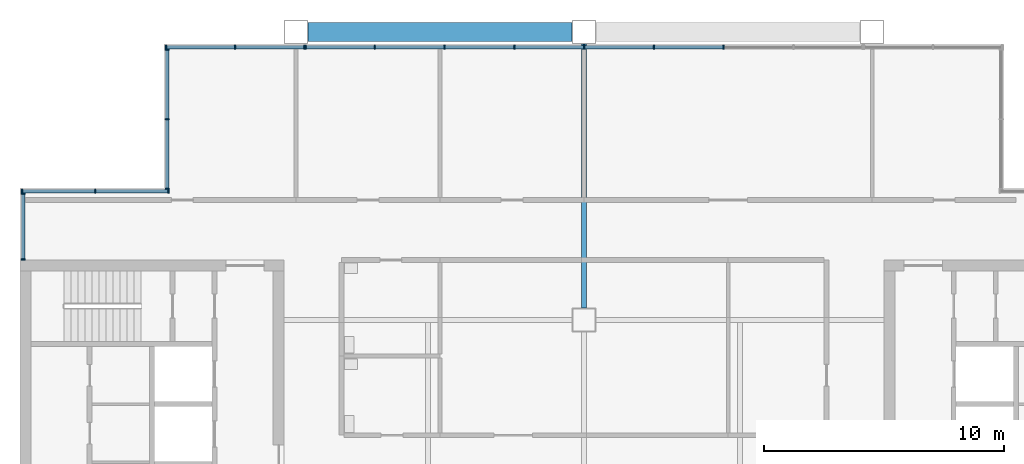
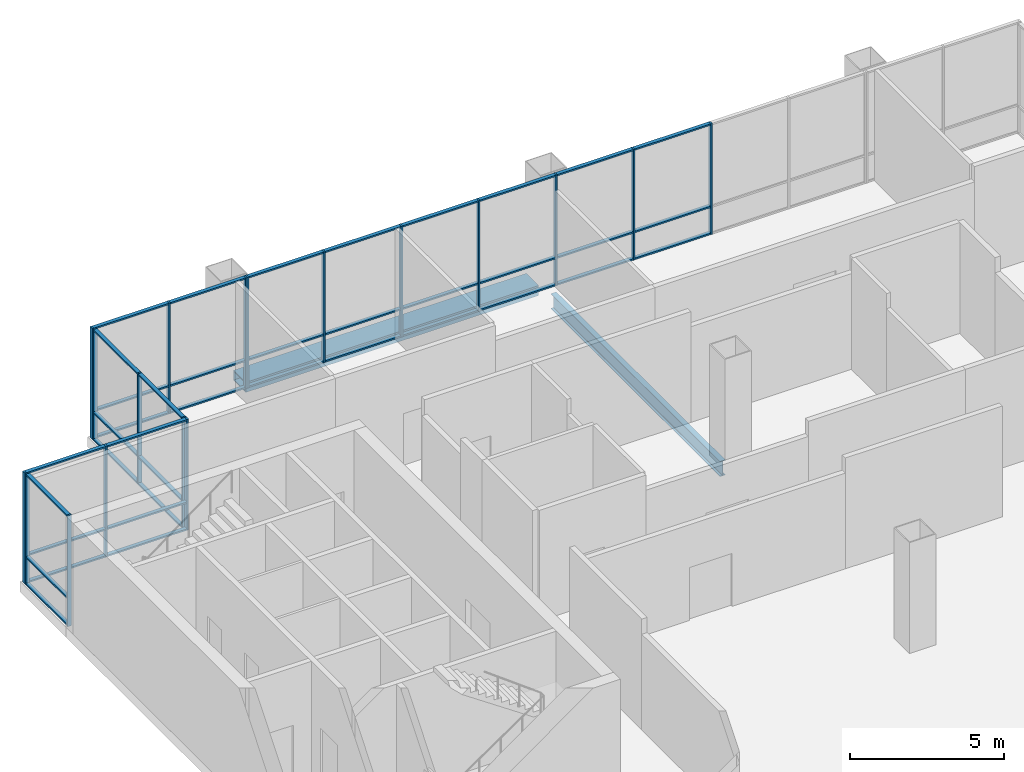
# One storey, part 7 of 15: 57 members, 2 beams, 5 elements without a shape of their own.
"""IFC4 building model written with IfcOpenShell, lengths in metres."""

from ifc_helpers import new_model, si_unit, direction, frame, origin, origin_2d, place, context, subcontext, project, spatial, rectangle, hollow_rectangle, i_section, extrude, material, material_profile, profile_set, type_object, element, aggregate, save


model = new_model("IFC4")

# Units and contexts
model_context = context("Model", 3, precision=1e-05, world=origin(), true_north=direction((0.0, 1.0)))
body_context = subcontext(model_context, "Body", "Model", "MODEL_VIEW")
ifc_project = project(units=[si_unit("LENGTHUNIT", "METRE"), si_unit("AREAUNIT", "SQUARE_METRE"), si_unit("VOLUMEUNIT", "CUBIC_METRE"), si_unit("PLANEANGLEUNIT", "RADIAN"), si_unit("MASSUNIT", "GRAM", prefix="KILO")], contexts=[model_context])

# Site, building, storey
site_placement = place(None, origin())
site = spatial("IfcSite", under=ifc_project, at=site_placement, CompositionType="ELEMENT")
building_placement = place(site_placement, origin())
building = spatial("IfcBuilding", under=site, at=building_placement, Name="Kitamizu Gate Tower and Museum", CompositionType="ELEMENT")
storey_placement = place(building_placement, frame((0.0, 0.0, 273.14990234375)))
storey = spatial("IfcBuildingStorey", under=building, at=storey_placement, Name="L74", CompositionType="ELEMENT", Elevation=273.14990234375)

# Beams
ifc_material_1 = material(Name="Steel SM490A bronze coated", Category="steel")
ifc_material_profile_1 = material_profile(ifc_material_1, hollow_rectangle(XDim=0.800048828125, YDim=0.39990234375, WallThickness=0.0400390625, at=origin_2d()), Name="BOX 800x400x40")
ifc_profile_set_1 = profile_set([ifc_material_profile_1], Name="Steel SM490A bronze coated")
beam_type_1 = type_object("IfcBeamType", Name="Exoskeleton spandrel beam SB1 BOX 800x400x40", PredefinedType="SPANDREL", material=ifc_profile_set_1)
beam_1_placement = place(storey_placement, frame((24.5, 48.0, -0.199951171875), z_axis=(1.0, 0.0, 0.0), x_axis=(0.0, 1.0, 0.0)))
element("IfcBeam", 1, at=beam_1_placement, inside=storey, type_object=beam_type_1, Name="Exoskeleton spandrel beam north 24 L74", PredefinedType="SPANDREL", context=body_context, shape_type="SweptSolid", body=[
    extrude(hollow_rectangle(XDim=0.800048828125, YDim=0.39990234375, WallThickness=0.0400390625, at=origin_2d()), origin(), (0.0, 0.0, 1.0), 11.0),
])
ifc_material_2 = material(Name="Steel SM490A", Category="steel")
ifc_material_profile_2 = material_profile(ifc_material_2, i_section(OverallWidth=0.199951171875, OverallDepth=0.60009765625, WebThickness=0.010986328125, FlangeThickness=0.01708984375, FilletRadius=0.02197265625, at=origin_2d()), Name="H-600x200x11x17")
ifc_profile_set_2 = profile_set([ifc_material_profile_2], Name="Steel SM490A")
beam_type_2 = type_object("IfcBeamType", Name="Floor girder FG1 H 600x200x11x17", PredefinedType="BEAM", material=ifc_profile_set_2)
beam_2_placement = place(storey_placement, frame((36.0, 36.5, -0.699951171875), z_axis=(0.0, 1.0, 0.0), x_axis=(-1.0, 0.0, 0.0)))
element("IfcBeam", 2, at=beam_2_placement, inside=storey, type_object=beam_type_2, Name="Floor girder FG1 x36 L74", PredefinedType="BEAM", context=body_context, shape_type="SweptSolid", body=[
    extrude(i_section(OverallWidth=0.199951171875, OverallDepth=0.60009765625, WebThickness=0.010986328125, FlangeThickness=0.01708984375, FilletRadius=0.02197265625, at=origin_2d()), origin(), (0.0, 0.0, 1.0), 11.0),
])

# Curtain wall, members
ifc_material_3 = material(Name="Bronze anodised aluminium frame, tinted triple glazing", Category="aluminium")
curtain_wall_type_1 = type_object("IfcCurtainWallType", Name="CURTAIN WALL TYPE C SKY AMENITY", PredefinedType="NOTDEFINED", material=ifc_material_3)
curtain_wall_1_placement = place(storey_placement, origin())
curtain_wall_1 = element("IfcCurtainWall", 3, at=curtain_wall_1_placement, inside=storey, type_object=curtain_wall_type_1, Name="Curtain wall CW-C north L74 part 1", PredefinedType="NOTDEFINED")
ifc_material_4 = material(Name="Bronze anodised aluminium", Category="aluminium")
ifc_material_profile_3 = material_profile(ifc_material_4, rectangle(XDim=0.06005859375, YDim=0.14990234375, at=origin_2d()), Name="AL 60X150")
ifc_profile_set_3 = profile_set([ifc_material_profile_3], Name="Bronze anodised aluminium")
member_type_1 = type_object("IfcMemberType", Name="MULLION 60 X 150 TYPE C", PredefinedType="MULLION", material=ifc_profile_set_3)
member_1_placement = place(storey_placement, frame((18.590087890625, 47.364990234375, 0.0), z_axis=(0.0, 0.0, 1.0), x_axis=(1.0, 0.0, 0.0)))
member_1 = element("IfcMember", 4, at=member_1_placement, type_object=member_type_1, Name="CW-C mullion 1", PredefinedType="MULLION", context=body_context, shape_type="SweptSolid", body=[
    extrude(rectangle(XDim=0.06005859375, YDim=0.14990234375, at=origin_2d()), origin(), (0.0, 0.0, 1.0), 4.400146484375),
])
member_2_placement = place(storey_placement, frame((21.466552734375, 47.364990234375, 0.0), z_axis=(0.0, 0.0, 1.0), x_axis=(1.0, 0.0, 0.0)))
member_2 = element("IfcMember", 5, at=member_2_placement, type_object=member_type_1, Name="CW-C mullion 2", PredefinedType="MULLION", context=body_context, shape_type="SweptSolid", body=[
    extrude(rectangle(XDim=0.06005859375, YDim=0.14990234375, at=origin_2d()), origin(), (0.0, 0.0, 1.0), 4.400146484375),
])
member_3_placement = place(storey_placement, frame((24.34326171875, 47.364990234375, 0.0), z_axis=(0.0, 0.0, 1.0), x_axis=(1.0, 0.0, 0.0)))
member_3 = element("IfcMember", 6, at=member_3_placement, type_object=member_type_1, Name="CW-C mullion 3", PredefinedType="MULLION", context=body_context, shape_type="SweptSolid", body=[
    extrude(rectangle(XDim=0.06005859375, YDim=0.14990234375, at=origin_2d()), origin(), (0.0, 0.0, 1.0), 4.400146484375),
])

ifc_material_5 = material(Name="Bronze anodised aluminium frame, insulated panels", Category="aluminium")
curtain_wall_type_2 = type_object("IfcCurtainWallType", Name="CURTAIN WALL TYPE C SKY AMENITY INSULATED", PredefinedType="NOTDEFINED", material=ifc_material_5)
curtain_wall_2_placement = place(storey_placement, origin())
curtain_wall_2 = element("IfcCurtainWall", 7, at=curtain_wall_2_placement, inside=storey, type_object=curtain_wall_type_2, Name="Curtain wall CW-CI north L74 part 2", PredefinedType="NOTDEFINED")
member_4_placement = place(storey_placement, frame((24.4033203125, 47.364990234375, 0.0), z_axis=(0.0, 0.0, 1.0), x_axis=(1.0, 0.0, 0.0)))
member_4 = element("IfcMember", 8, at=member_4_placement, type_object=member_type_1, Name="CW-CI mullion 1", PredefinedType="MULLION", context=body_context, shape_type="SweptSolid", body=[
    extrude(rectangle(XDim=0.06005859375, YDim=0.14990234375, at=origin_2d()), origin(), (0.0, 0.0, 1.0), 4.400146484375),
])
member_5_placement = place(storey_placement, frame((27.280029296875, 47.364990234375, 0.0), z_axis=(0.0, 0.0, 1.0), x_axis=(1.0, 0.0, 0.0)))
member_5 = element("IfcMember", 9, at=member_5_placement, type_object=member_type_1, Name="CW-CI mullion 2", PredefinedType="MULLION", context=body_context, shape_type="SweptSolid", body=[
    extrude(rectangle(XDim=0.06005859375, YDim=0.14990234375, at=origin_2d()), origin(), (0.0, 0.0, 1.0), 4.400146484375),
])
member_6_placement = place(storey_placement, frame((30.186767578125, 47.364990234375, 0.0), z_axis=(0.0, 0.0, 1.0), x_axis=(1.0, 0.0, 0.0)))
member_6 = element("IfcMember", 10, at=member_6_placement, type_object=member_type_1, Name="CW-CI mullion 3", PredefinedType="MULLION", context=body_context, shape_type="SweptSolid", body=[
    extrude(rectangle(XDim=0.06005859375, YDim=0.14990234375, at=origin_2d()), origin(), (0.0, 0.0, 1.0), 4.400146484375),
])
member_7_placement = place(storey_placement, frame((33.09326171875, 47.364990234375, 0.0), z_axis=(0.0, 0.0, 1.0), x_axis=(1.0, 0.0, 0.0)))
member_7 = element("IfcMember", 11, at=member_7_placement, type_object=member_type_1, Name="CW-CI mullion 4", PredefinedType="MULLION", context=body_context, shape_type="SweptSolid", body=[
    extrude(rectangle(XDim=0.06005859375, YDim=0.14990234375, at=origin_2d()), origin(), (0.0, 0.0, 1.0), 4.400146484375),
])
member_8_placement = place(storey_placement, frame((36.0, 47.364990234375, 0.0), z_axis=(0.0, 0.0, 1.0), x_axis=(1.0, 0.0, 0.0)))
member_8 = element("IfcMember", 12, at=member_8_placement, type_object=member_type_1, Name="CW-CI mullion 5", PredefinedType="MULLION", context=body_context, shape_type="SweptSolid", body=[
    extrude(rectangle(XDim=0.06005859375, YDim=0.14990234375, at=origin_2d()), origin(), (0.0, 0.0, 1.0), 4.400146484375),
])
member_9_placement = place(storey_placement, frame((38.90673828125, 47.364990234375, 0.0), z_axis=(0.0, 0.0, 1.0), x_axis=(1.0, 0.0, 0.0)))
member_9 = element("IfcMember", 13, at=member_9_placement, type_object=member_type_1, Name="CW-CI mullion 6", PredefinedType="MULLION", context=body_context, shape_type="SweptSolid", body=[
    extrude(rectangle(XDim=0.06005859375, YDim=0.14990234375, at=origin_2d()), origin(), (0.0, 0.0, 1.0), 4.400146484375),
])
member_10_placement = place(storey_placement, frame((41.813232421875, 47.364990234375, 0.0), z_axis=(0.0, 0.0, 1.0), x_axis=(1.0, 0.0, 0.0)))
member_10 = element("IfcMember", 14, at=member_10_placement, type_object=member_type_1, Name="CW-CI mullion 7", PredefinedType="MULLION", context=body_context, shape_type="SweptSolid", body=[
    extrude(rectangle(XDim=0.06005859375, YDim=0.14990234375, at=origin_2d()), origin(), (0.0, 0.0, 1.0), 4.400146484375),
])

curtain_wall_3_placement = place(storey_placement, origin())
curtain_wall_3 = element("IfcCurtainWall", 15, at=curtain_wall_3_placement, inside=storey, type_object=curtain_wall_type_1, Name="Curtain wall CW-C west L74", PredefinedType="NOTDEFINED")
member_11_placement = place(storey_placement, frame((18.635009765625, 41.469970703125, 0.0), z_axis=(0.0, 0.0, 1.0), x_axis=(0.0, 1.0, 0.0)))
member_11 = element("IfcMember", 16, at=member_11_placement, type_object=member_type_1, Name="CW-C mullion 1", PredefinedType="MULLION", context=body_context, shape_type="SweptSolid", body=[
    extrude(rectangle(XDim=0.06005859375, YDim=0.14990234375, at=origin_2d()), origin(), (0.0, 0.0, 1.0), 4.400146484375),
])
member_12_placement = place(storey_placement, frame((18.635009765625, 44.364990234375, 0.0), z_axis=(0.0, 0.0, 1.0), x_axis=(0.0, 1.0, 0.0)))
member_12 = element("IfcMember", 17, at=member_12_placement, type_object=member_type_1, Name="CW-C mullion 2", PredefinedType="MULLION", context=body_context, shape_type="SweptSolid", body=[
    extrude(rectangle(XDim=0.06005859375, YDim=0.14990234375, at=origin_2d()), origin(), (0.0, 0.0, 1.0), 4.400146484375),
])
member_13_placement = place(storey_placement, frame((18.635009765625, 47.260009765625, 0.0), z_axis=(0.0, 0.0, 1.0), x_axis=(0.0, 1.0, 0.0)))
member_13 = element("IfcMember", 18, at=member_13_placement, type_object=member_type_1, Name="CW-C mullion 3", PredefinedType="MULLION", context=body_context, shape_type="SweptSolid", body=[
    extrude(rectangle(XDim=0.06005859375, YDim=0.14990234375, at=origin_2d()), origin(), (0.0, 0.0, 1.0), 4.400146484375),
])

curtain_wall_4_placement = place(storey_placement, origin())
curtain_wall_4 = element("IfcCurtainWall", 19, at=curtain_wall_4_placement, inside=storey, type_object=curtain_wall_type_1, Name="Curtain wall CW-C north L74", PredefinedType="NOTDEFINED")
member_14_placement = place(storey_placement, frame((12.590087890625, 41.364990234375, 0.0), z_axis=(0.0, 0.0, 1.0), x_axis=(1.0, 0.0, 0.0)))
member_14 = element("IfcMember", 20, at=member_14_placement, type_object=member_type_1, Name="CW-C mullion 1", PredefinedType="MULLION", context=body_context, shape_type="SweptSolid", body=[
    extrude(rectangle(XDim=0.06005859375, YDim=0.14990234375, at=origin_2d()), origin(), (0.0, 0.0, 1.0), 4.400146484375),
])
member_15_placement = place(storey_placement, frame((15.635009765625, 41.364990234375, 0.0), z_axis=(0.0, 0.0, 1.0), x_axis=(1.0, 0.0, 0.0)))
member_15 = element("IfcMember", 21, at=member_15_placement, type_object=member_type_1, Name="CW-C mullion 2", PredefinedType="MULLION", context=body_context, shape_type="SweptSolid", body=[
    extrude(rectangle(XDim=0.06005859375, YDim=0.14990234375, at=origin_2d()), origin(), (0.0, 0.0, 1.0), 4.400146484375),
])
member_16_placement = place(storey_placement, frame((18.679931640625, 41.364990234375, 0.0), z_axis=(0.0, 0.0, 1.0), x_axis=(1.0, 0.0, 0.0)))
member_16 = element("IfcMember", 22, at=member_16_placement, type_object=member_type_1, Name="CW-C mullion 3", PredefinedType="MULLION", context=body_context, shape_type="SweptSolid", body=[
    extrude(rectangle(XDim=0.06005859375, YDim=0.14990234375, at=origin_2d()), origin(), (0.0, 0.0, 1.0), 4.400146484375),
])

curtain_wall_5_placement = place(storey_placement, origin())
curtain_wall_5 = element("IfcCurtainWall", 23, at=curtain_wall_5_placement, inside=storey, type_object=curtain_wall_type_1, Name="Curtain wall CW-C west L74", PredefinedType="NOTDEFINED")
member_17_placement = place(storey_placement, frame((12.635009765625, 38.530029296875, 0.0), z_axis=(0.0, 0.0, 1.0), x_axis=(0.0, 1.0, 0.0)))
member_17 = element("IfcMember", 24, at=member_17_placement, type_object=member_type_1, Name="CW-C mullion 1", PredefinedType="MULLION", context=body_context, shape_type="SweptSolid", body=[
    extrude(rectangle(XDim=0.06005859375, YDim=0.14990234375, at=origin_2d()), origin(), (0.0, 0.0, 1.0), 4.400146484375),
])
member_18_placement = place(storey_placement, frame((12.635009765625, 41.260009765625, 0.0), z_axis=(0.0, 0.0, 1.0), x_axis=(0.0, 1.0, 0.0)))
member_18 = element("IfcMember", 25, at=member_18_placement, type_object=member_type_1, Name="CW-C mullion 2", PredefinedType="MULLION", context=body_context, shape_type="SweptSolid", body=[
    extrude(rectangle(XDim=0.06005859375, YDim=0.14990234375, at=origin_2d()), origin(), (0.0, 0.0, 1.0), 4.400146484375),
])

# Member
ifc_material_6 = material(Name="Bronze anodised aluminium", Category="aluminium")
ifc_material_profile_4 = material_profile(ifc_material_6, rectangle(XDim=0.139892578125, YDim=0.06005859375, at=origin_2d()), Name="AL 60X140")
ifc_profile_set_4 = profile_set([ifc_material_profile_4], Name="Bronze anodised aluminium")
member_type_2 = type_object("IfcMemberType", Name="TRANSOM 60 X 140 TYPE C", PredefinedType="USERDEFINED", material=ifc_profile_set_4)
member_19_placement = place(storey_placement, frame((18.6201171875, 47.364990234375, 0.030029296875), z_axis=(1.0, 0.0, 0.0), x_axis=(0.0, 1.0, 0.0)))
member_19 = element("IfcMember", 26, at=member_19_placement, type_object=member_type_2, Name="CW-C transom 1.1", ObjectType="TRANSOM", PredefinedType="USERDEFINED", context=body_context, shape_type="SweptSolid", body=[
    extrude(rectangle(XDim=0.139892578125, YDim=0.06005859375, at=origin_2d()), origin(), (0.0, 0.0, 1.0), 2.816650390625),
])

member_20_placement = place(storey_placement, frame((18.6201171875, 47.364990234375, 1.10009765625), z_axis=(1.0, 0.0, 0.0), x_axis=(0.0, 1.0, 0.0)))
member_20 = element("IfcMember", 27, at=member_20_placement, type_object=member_type_2, Name="CW-C transom 1.2", ObjectType="TRANSOM", PredefinedType="USERDEFINED", context=body_context, shape_type="SweptSolid", body=[
    extrude(rectangle(XDim=0.139892578125, YDim=0.06005859375, at=origin_2d()), origin(), (0.0, 0.0, 1.0), 2.816650390625),
])

member_21_placement = place(storey_placement, frame((18.6201171875, 47.364990234375, 4.3701171875), z_axis=(1.0, 0.0, 0.0), x_axis=(0.0, 1.0, 0.0)))
member_21 = element("IfcMember", 28, at=member_21_placement, type_object=member_type_2, Name="CW-C transom 1.3", ObjectType="TRANSOM", PredefinedType="USERDEFINED", context=body_context, shape_type="SweptSolid", body=[
    extrude(rectangle(XDim=0.139892578125, YDim=0.06005859375, at=origin_2d()), origin(), (0.0, 0.0, 1.0), 2.816650390625),
])

member_22_placement = place(storey_placement, frame((21.49658203125, 47.364990234375, 0.030029296875), z_axis=(1.0, 0.0, 0.0), x_axis=(0.0, 1.0, 0.0)))
member_22 = element("IfcMember", 29, at=member_22_placement, type_object=member_type_2, Name="CW-C transom 2.1", ObjectType="TRANSOM", PredefinedType="USERDEFINED", context=body_context, shape_type="SweptSolid", body=[
    extrude(rectangle(XDim=0.139892578125, YDim=0.06005859375, at=origin_2d()), origin(), (0.0, 0.0, 1.0), 2.816650390625),
])

member_23_placement = place(storey_placement, frame((21.49658203125, 47.364990234375, 1.10009765625), z_axis=(1.0, 0.0, 0.0), x_axis=(0.0, 1.0, 0.0)))
member_23 = element("IfcMember", 30, at=member_23_placement, type_object=member_type_2, Name="CW-C transom 2.2", ObjectType="TRANSOM", PredefinedType="USERDEFINED", context=body_context, shape_type="SweptSolid", body=[
    extrude(rectangle(XDim=0.139892578125, YDim=0.06005859375, at=origin_2d()), origin(), (0.0, 0.0, 1.0), 2.816650390625),
])

member_24_placement = place(storey_placement, frame((21.49658203125, 47.364990234375, 4.3701171875), z_axis=(1.0, 0.0, 0.0), x_axis=(0.0, 1.0, 0.0)))
member_24 = element("IfcMember", 31, at=member_24_placement, type_object=member_type_2, Name="CW-C transom 2.3", ObjectType="TRANSOM", PredefinedType="USERDEFINED", context=body_context, shape_type="SweptSolid", body=[
    extrude(rectangle(XDim=0.139892578125, YDim=0.06005859375, at=origin_2d()), origin(), (0.0, 0.0, 1.0), 2.816650390625),
])

aggregate(curtain_wall_1, [member_1, member_2, member_3, member_19, member_20, member_21, member_22, member_23, member_24])

member_25_placement = place(storey_placement, frame((24.433349609375, 47.364990234375, 0.030029296875), z_axis=(1.0, 0.0, 0.0), x_axis=(0.0, 1.0, 0.0)))
member_25 = element("IfcMember", 32, at=member_25_placement, type_object=member_type_2, Name="CW-CI transom 1.1", ObjectType="TRANSOM", PredefinedType="USERDEFINED", context=body_context, shape_type="SweptSolid", body=[
    extrude(rectangle(XDim=0.139892578125, YDim=0.06005859375, at=origin_2d()), origin(), (0.0, 0.0, 1.0), 2.816650390625),
])

member_26_placement = place(storey_placement, frame((24.433349609375, 47.364990234375, 1.10009765625), z_axis=(1.0, 0.0, 0.0), x_axis=(0.0, 1.0, 0.0)))
member_26 = element("IfcMember", 33, at=member_26_placement, type_object=member_type_2, Name="CW-CI transom 1.2", ObjectType="TRANSOM", PredefinedType="USERDEFINED", context=body_context, shape_type="SweptSolid", body=[
    extrude(rectangle(XDim=0.139892578125, YDim=0.06005859375, at=origin_2d()), origin(), (0.0, 0.0, 1.0), 2.816650390625),
])

member_27_placement = place(storey_placement, frame((24.433349609375, 47.364990234375, 4.3701171875), z_axis=(1.0, 0.0, 0.0), x_axis=(0.0, 1.0, 0.0)))
member_27 = element("IfcMember", 34, at=member_27_placement, type_object=member_type_2, Name="CW-CI transom 1.3", ObjectType="TRANSOM", PredefinedType="USERDEFINED", context=body_context, shape_type="SweptSolid", body=[
    extrude(rectangle(XDim=0.139892578125, YDim=0.06005859375, at=origin_2d()), origin(), (0.0, 0.0, 1.0), 2.816650390625),
])

member_28_placement = place(storey_placement, frame((27.31005859375, 47.364990234375, 0.030029296875), z_axis=(1.0, 0.0, 0.0), x_axis=(0.0, 1.0, 0.0)))
member_28 = element("IfcMember", 35, at=member_28_placement, type_object=member_type_2, Name="CW-CI transom 2.1", ObjectType="TRANSOM", PredefinedType="USERDEFINED", context=body_context, shape_type="SweptSolid", body=[
    extrude(rectangle(XDim=0.139892578125, YDim=0.06005859375, at=origin_2d()), origin(), (0.0, 0.0, 1.0), 2.8466796875),
])

member_29_placement = place(storey_placement, frame((27.31005859375, 47.364990234375, 1.10009765625), z_axis=(1.0, 0.0, 0.0), x_axis=(0.0, 1.0, 0.0)))
member_29 = element("IfcMember", 36, at=member_29_placement, type_object=member_type_2, Name="CW-CI transom 2.2", ObjectType="TRANSOM", PredefinedType="USERDEFINED", context=body_context, shape_type="SweptSolid", body=[
    extrude(rectangle(XDim=0.139892578125, YDim=0.06005859375, at=origin_2d()), origin(), (0.0, 0.0, 1.0), 2.8466796875),
])

member_30_placement = place(storey_placement, frame((27.31005859375, 47.364990234375, 4.3701171875), z_axis=(1.0, 0.0, 0.0), x_axis=(0.0, 1.0, 0.0)))
member_30 = element("IfcMember", 37, at=member_30_placement, type_object=member_type_2, Name="CW-CI transom 2.3", ObjectType="TRANSOM", PredefinedType="USERDEFINED", context=body_context, shape_type="SweptSolid", body=[
    extrude(rectangle(XDim=0.139892578125, YDim=0.06005859375, at=origin_2d()), origin(), (0.0, 0.0, 1.0), 2.8466796875),
])

member_31_placement = place(storey_placement, frame((30.216552734375, 47.364990234375, 0.030029296875), z_axis=(1.0, 0.0, 0.0), x_axis=(0.0, 1.0, 0.0)))
member_31 = element("IfcMember", 38, at=member_31_placement, type_object=member_type_2, Name="CW-CI transom 3.1", ObjectType="TRANSOM", PredefinedType="USERDEFINED", context=body_context, shape_type="SweptSolid", body=[
    extrude(rectangle(XDim=0.139892578125, YDim=0.06005859375, at=origin_2d()), origin(), (0.0, 0.0, 1.0), 2.8466796875),
])

member_32_placement = place(storey_placement, frame((30.216552734375, 47.364990234375, 1.10009765625), z_axis=(1.0, 0.0, 0.0), x_axis=(0.0, 1.0, 0.0)))
member_32 = element("IfcMember", 39, at=member_32_placement, type_object=member_type_2, Name="CW-CI transom 3.2", ObjectType="TRANSOM", PredefinedType="USERDEFINED", context=body_context, shape_type="SweptSolid", body=[
    extrude(rectangle(XDim=0.139892578125, YDim=0.06005859375, at=origin_2d()), origin(), (0.0, 0.0, 1.0), 2.8466796875),
])

member_33_placement = place(storey_placement, frame((30.216552734375, 47.364990234375, 4.3701171875), z_axis=(1.0, 0.0, 0.0), x_axis=(0.0, 1.0, 0.0)))
member_33 = element("IfcMember", 40, at=member_33_placement, type_object=member_type_2, Name="CW-CI transom 3.3", ObjectType="TRANSOM", PredefinedType="USERDEFINED", context=body_context, shape_type="SweptSolid", body=[
    extrude(rectangle(XDim=0.139892578125, YDim=0.06005859375, at=origin_2d()), origin(), (0.0, 0.0, 1.0), 2.8466796875),
])

member_34_placement = place(storey_placement, frame((33.123291015625, 47.364990234375, 0.030029296875), z_axis=(1.0, 0.0, 0.0), x_axis=(0.0, 1.0, 0.0)))
member_34 = element("IfcMember", 41, at=member_34_placement, type_object=member_type_2, Name="CW-CI transom 4.1", ObjectType="TRANSOM", PredefinedType="USERDEFINED", context=body_context, shape_type="SweptSolid", body=[
    extrude(rectangle(XDim=0.139892578125, YDim=0.06005859375, at=origin_2d()), origin(), (0.0, 0.0, 1.0), 2.8466796875),
])

member_35_placement = place(storey_placement, frame((33.123291015625, 47.364990234375, 1.10009765625), z_axis=(1.0, 0.0, 0.0), x_axis=(0.0, 1.0, 0.0)))
member_35 = element("IfcMember", 42, at=member_35_placement, type_object=member_type_2, Name="CW-CI transom 4.2", ObjectType="TRANSOM", PredefinedType="USERDEFINED", context=body_context, shape_type="SweptSolid", body=[
    extrude(rectangle(XDim=0.139892578125, YDim=0.06005859375, at=origin_2d()), origin(), (0.0, 0.0, 1.0), 2.8466796875),
])

member_36_placement = place(storey_placement, frame((33.123291015625, 47.364990234375, 4.3701171875), z_axis=(1.0, 0.0, 0.0), x_axis=(0.0, 1.0, 0.0)))
member_36 = element("IfcMember", 43, at=member_36_placement, type_object=member_type_2, Name="CW-CI transom 4.3", ObjectType="TRANSOM", PredefinedType="USERDEFINED", context=body_context, shape_type="SweptSolid", body=[
    extrude(rectangle(XDim=0.139892578125, YDim=0.06005859375, at=origin_2d()), origin(), (0.0, 0.0, 1.0), 2.8466796875),
])

member_37_placement = place(storey_placement, frame((36.030029296875, 47.364990234375, 0.030029296875), z_axis=(1.0, 0.0, 0.0), x_axis=(0.0, 1.0, 0.0)))
member_37 = element("IfcMember", 44, at=member_37_placement, type_object=member_type_2, Name="CW-CI transom 5.1", ObjectType="TRANSOM", PredefinedType="USERDEFINED", context=body_context, shape_type="SweptSolid", body=[
    extrude(rectangle(XDim=0.139892578125, YDim=0.06005859375, at=origin_2d()), origin(), (0.0, 0.0, 1.0), 2.8466796875),
])

member_38_placement = place(storey_placement, frame((36.030029296875, 47.364990234375, 1.10009765625), z_axis=(1.0, 0.0, 0.0), x_axis=(0.0, 1.0, 0.0)))
member_38 = element("IfcMember", 45, at=member_38_placement, type_object=member_type_2, Name="CW-CI transom 5.2", ObjectType="TRANSOM", PredefinedType="USERDEFINED", context=body_context, shape_type="SweptSolid", body=[
    extrude(rectangle(XDim=0.139892578125, YDim=0.06005859375, at=origin_2d()), origin(), (0.0, 0.0, 1.0), 2.8466796875),
])

member_39_placement = place(storey_placement, frame((36.030029296875, 47.364990234375, 4.3701171875), z_axis=(1.0, 0.0, 0.0), x_axis=(0.0, 1.0, 0.0)))
member_39 = element("IfcMember", 46, at=member_39_placement, type_object=member_type_2, Name="CW-CI transom 5.3", ObjectType="TRANSOM", PredefinedType="USERDEFINED", context=body_context, shape_type="SweptSolid", body=[
    extrude(rectangle(XDim=0.139892578125, YDim=0.06005859375, at=origin_2d()), origin(), (0.0, 0.0, 1.0), 2.8466796875),
])

member_40_placement = place(storey_placement, frame((38.936767578125, 47.364990234375, 0.030029296875), z_axis=(1.0, 0.0, 0.0), x_axis=(0.0, 1.0, 0.0)))
member_40 = element("IfcMember", 47, at=member_40_placement, type_object=member_type_2, Name="CW-CI transom 6.1", ObjectType="TRANSOM", PredefinedType="USERDEFINED", context=body_context, shape_type="SweptSolid", body=[
    extrude(rectangle(XDim=0.139892578125, YDim=0.06005859375, at=origin_2d()), origin(), (0.0, 0.0, 1.0), 2.8466796875),
])

member_41_placement = place(storey_placement, frame((38.936767578125, 47.364990234375, 1.10009765625), z_axis=(1.0, 0.0, 0.0), x_axis=(0.0, 1.0, 0.0)))
member_41 = element("IfcMember", 48, at=member_41_placement, type_object=member_type_2, Name="CW-CI transom 6.2", ObjectType="TRANSOM", PredefinedType="USERDEFINED", context=body_context, shape_type="SweptSolid", body=[
    extrude(rectangle(XDim=0.139892578125, YDim=0.06005859375, at=origin_2d()), origin(), (0.0, 0.0, 1.0), 2.8466796875),
])

member_42_placement = place(storey_placement, frame((38.936767578125, 47.364990234375, 4.3701171875), z_axis=(1.0, 0.0, 0.0), x_axis=(0.0, 1.0, 0.0)))
member_42 = element("IfcMember", 49, at=member_42_placement, type_object=member_type_2, Name="CW-CI transom 6.3", ObjectType="TRANSOM", PredefinedType="USERDEFINED", context=body_context, shape_type="SweptSolid", body=[
    extrude(rectangle(XDim=0.139892578125, YDim=0.06005859375, at=origin_2d()), origin(), (0.0, 0.0, 1.0), 2.8466796875),
])

aggregate(curtain_wall_2, [member_4, member_5, member_6, member_7, member_8, member_9, member_10, member_25, member_26, member_27, member_28, member_29, member_30, member_31, member_32, member_33, member_34, member_35, member_36, member_37, member_38, member_39, member_40, member_41, member_42])

member_43_placement = place(storey_placement, frame((18.635009765625, 41.5, 0.030029296875), z_axis=(0.0, 1.0, 0.0), x_axis=(-1.0, 0.0, 0.0)))
member_43 = element("IfcMember", 50, at=member_43_placement, type_object=member_type_2, Name="CW-C transom 1.1", ObjectType="TRANSOM", PredefinedType="USERDEFINED", context=body_context, shape_type="SweptSolid", body=[
    extrude(rectangle(XDim=0.139892578125, YDim=0.06005859375, at=origin_2d()), origin(), (0.0, 0.0, 1.0), 2.8349609375),
])

member_44_placement = place(storey_placement, frame((18.635009765625, 41.5, 1.10009765625), z_axis=(0.0, 1.0, 0.0), x_axis=(-1.0, 0.0, 0.0)))
member_44 = element("IfcMember", 51, at=member_44_placement, type_object=member_type_2, Name="CW-C transom 1.2", ObjectType="TRANSOM", PredefinedType="USERDEFINED", context=body_context, shape_type="SweptSolid", body=[
    extrude(rectangle(XDim=0.139892578125, YDim=0.06005859375, at=origin_2d()), origin(), (0.0, 0.0, 1.0), 2.8349609375),
])

member_45_placement = place(storey_placement, frame((18.635009765625, 41.5, 4.3701171875), z_axis=(0.0, 1.0, 0.0), x_axis=(-1.0, 0.0, 0.0)))
member_45 = element("IfcMember", 52, at=member_45_placement, type_object=member_type_2, Name="CW-C transom 1.3", ObjectType="TRANSOM", PredefinedType="USERDEFINED", context=body_context, shape_type="SweptSolid", body=[
    extrude(rectangle(XDim=0.139892578125, YDim=0.06005859375, at=origin_2d()), origin(), (0.0, 0.0, 1.0), 2.8349609375),
])

member_46_placement = place(storey_placement, frame((18.635009765625, 44.39501953125, 0.030029296875), z_axis=(0.0, 1.0, 0.0), x_axis=(-1.0, 0.0, 0.0)))
member_46 = element("IfcMember", 53, at=member_46_placement, type_object=member_type_2, Name="CW-C transom 2.1", ObjectType="TRANSOM", PredefinedType="USERDEFINED", context=body_context, shape_type="SweptSolid", body=[
    extrude(rectangle(XDim=0.139892578125, YDim=0.06005859375, at=origin_2d()), origin(), (0.0, 0.0, 1.0), 2.8349609375),
])

member_47_placement = place(storey_placement, frame((18.635009765625, 44.39501953125, 1.10009765625), z_axis=(0.0, 1.0, 0.0), x_axis=(-1.0, 0.0, 0.0)))
member_47 = element("IfcMember", 54, at=member_47_placement, type_object=member_type_2, Name="CW-C transom 2.2", ObjectType="TRANSOM", PredefinedType="USERDEFINED", context=body_context, shape_type="SweptSolid", body=[
    extrude(rectangle(XDim=0.139892578125, YDim=0.06005859375, at=origin_2d()), origin(), (0.0, 0.0, 1.0), 2.8349609375),
])

member_48_placement = place(storey_placement, frame((18.635009765625, 44.39501953125, 4.3701171875), z_axis=(0.0, 1.0, 0.0), x_axis=(-1.0, 0.0, 0.0)))
member_48 = element("IfcMember", 55, at=member_48_placement, type_object=member_type_2, Name="CW-C transom 2.3", ObjectType="TRANSOM", PredefinedType="USERDEFINED", context=body_context, shape_type="SweptSolid", body=[
    extrude(rectangle(XDim=0.139892578125, YDim=0.06005859375, at=origin_2d()), origin(), (0.0, 0.0, 1.0), 2.8349609375),
])

aggregate(curtain_wall_3, [member_11, member_12, member_13, member_43, member_44, member_45, member_46, member_47, member_48])

member_49_placement = place(storey_placement, frame((12.6201171875, 41.364990234375, 0.030029296875), z_axis=(1.0, 0.0, 0.0), x_axis=(0.0, 1.0, 0.0)))
member_49 = element("IfcMember", 56, at=member_49_placement, type_object=member_type_2, Name="CW-C transom 1.1", ObjectType="TRANSOM", PredefinedType="USERDEFINED", context=body_context, shape_type="SweptSolid", body=[
    extrude(rectangle(XDim=0.139892578125, YDim=0.06005859375, at=origin_2d()), origin(), (0.0, 0.0, 1.0), 2.98486328125),
])

member_50_placement = place(storey_placement, frame((12.6201171875, 41.364990234375, 1.10009765625), z_axis=(1.0, 0.0, 0.0), x_axis=(0.0, 1.0, 0.0)))
member_50 = element("IfcMember", 57, at=member_50_placement, type_object=member_type_2, Name="CW-C transom 1.2", ObjectType="TRANSOM", PredefinedType="USERDEFINED", context=body_context, shape_type="SweptSolid", body=[
    extrude(rectangle(XDim=0.139892578125, YDim=0.06005859375, at=origin_2d()), origin(), (0.0, 0.0, 1.0), 2.98486328125),
])

member_51_placement = place(storey_placement, frame((12.6201171875, 41.364990234375, 4.3701171875), z_axis=(1.0, 0.0, 0.0), x_axis=(0.0, 1.0, 0.0)))
member_51 = element("IfcMember", 58, at=member_51_placement, type_object=member_type_2, Name="CW-C transom 1.3", ObjectType="TRANSOM", PredefinedType="USERDEFINED", context=body_context, shape_type="SweptSolid", body=[
    extrude(rectangle(XDim=0.139892578125, YDim=0.06005859375, at=origin_2d()), origin(), (0.0, 0.0, 1.0), 2.98486328125),
])

member_52_placement = place(storey_placement, frame((15.6650390625, 41.364990234375, 0.030029296875), z_axis=(1.0, 0.0, 0.0), x_axis=(0.0, 1.0, 0.0)))
member_52 = element("IfcMember", 59, at=member_52_placement, type_object=member_type_2, Name="CW-C transom 2.1", ObjectType="TRANSOM", PredefinedType="USERDEFINED", context=body_context, shape_type="SweptSolid", body=[
    extrude(rectangle(XDim=0.139892578125, YDim=0.06005859375, at=origin_2d()), origin(), (0.0, 0.0, 1.0), 2.98486328125),
])

member_53_placement = place(storey_placement, frame((15.6650390625, 41.364990234375, 1.10009765625), z_axis=(1.0, 0.0, 0.0), x_axis=(0.0, 1.0, 0.0)))
member_53 = element("IfcMember", 60, at=member_53_placement, type_object=member_type_2, Name="CW-C transom 2.2", ObjectType="TRANSOM", PredefinedType="USERDEFINED", context=body_context, shape_type="SweptSolid", body=[
    extrude(rectangle(XDim=0.139892578125, YDim=0.06005859375, at=origin_2d()), origin(), (0.0, 0.0, 1.0), 2.98486328125),
])

member_54_placement = place(storey_placement, frame((15.6650390625, 41.364990234375, 4.3701171875), z_axis=(1.0, 0.0, 0.0), x_axis=(0.0, 1.0, 0.0)))
member_54 = element("IfcMember", 61, at=member_54_placement, type_object=member_type_2, Name="CW-C transom 2.3", ObjectType="TRANSOM", PredefinedType="USERDEFINED", context=body_context, shape_type="SweptSolid", body=[
    extrude(rectangle(XDim=0.139892578125, YDim=0.06005859375, at=origin_2d()), origin(), (0.0, 0.0, 1.0), 2.98486328125),
])

aggregate(curtain_wall_4, [member_14, member_15, member_16, member_49, member_50, member_51, member_52, member_53, member_54])

member_55_placement = place(storey_placement, frame((12.635009765625, 38.56005859375, 0.030029296875), z_axis=(0.0, 1.0, 0.0), x_axis=(-1.0, 0.0, 0.0)))
member_55 = element("IfcMember", 62, at=member_55_placement, type_object=member_type_2, Name="CW-C transom 1.1", ObjectType="TRANSOM", PredefinedType="USERDEFINED", context=body_context, shape_type="SweptSolid", body=[
    extrude(rectangle(XDim=0.139892578125, YDim=0.06005859375, at=origin_2d()), origin(), (0.0, 0.0, 1.0), 2.669921875),
])

member_56_placement = place(storey_placement, frame((12.635009765625, 38.56005859375, 1.10009765625), z_axis=(0.0, 1.0, 0.0), x_axis=(-1.0, 0.0, 0.0)))
member_56 = element("IfcMember", 63, at=member_56_placement, type_object=member_type_2, Name="CW-C transom 1.2", ObjectType="TRANSOM", PredefinedType="USERDEFINED", context=body_context, shape_type="SweptSolid", body=[
    extrude(rectangle(XDim=0.139892578125, YDim=0.06005859375, at=origin_2d()), origin(), (0.0, 0.0, 1.0), 2.669921875),
])

member_57_placement = place(storey_placement, frame((12.635009765625, 38.56005859375, 4.3701171875), z_axis=(0.0, 1.0, 0.0), x_axis=(-1.0, 0.0, 0.0)))
member_57 = element("IfcMember", 64, at=member_57_placement, type_object=member_type_2, Name="CW-C transom 1.3", ObjectType="TRANSOM", PredefinedType="USERDEFINED", context=body_context, shape_type="SweptSolid", body=[
    extrude(rectangle(XDim=0.139892578125, YDim=0.06005859375, at=origin_2d()), origin(), (0.0, 0.0, 1.0), 2.669921875),
])

aggregate(curtain_wall_5, [member_17, member_18, member_55, member_56, member_57])

save(model, "model.ifc")
